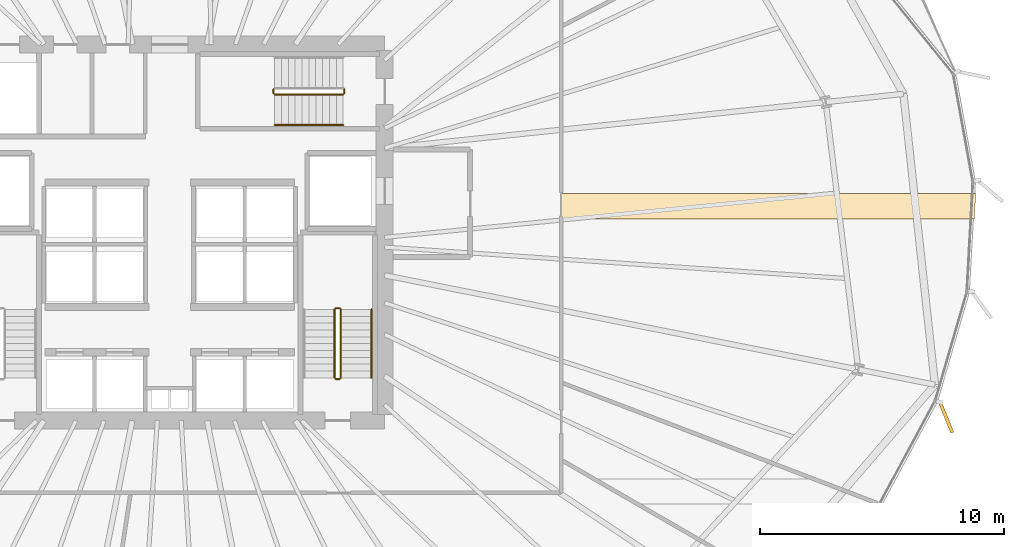
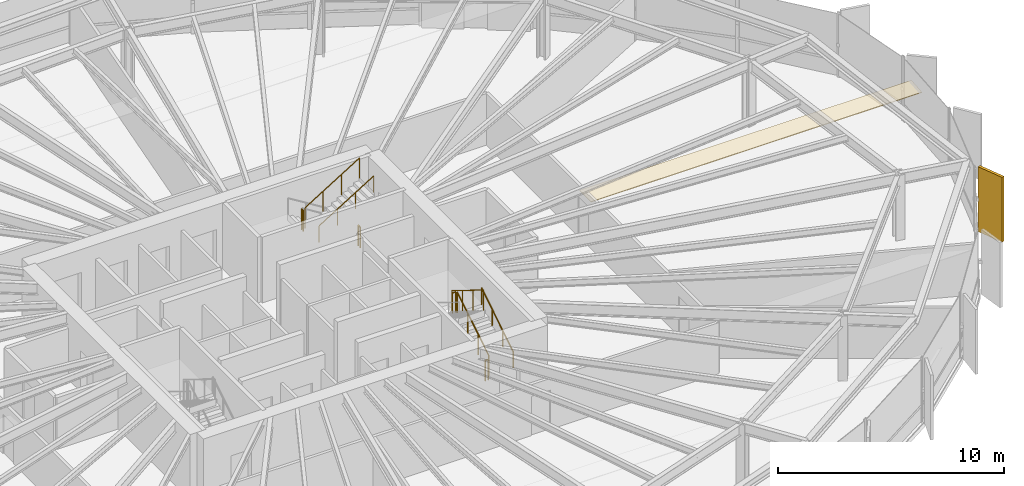
# One storey, part 38 of 39: 9 railings, 2 coverings.
"""IFC4 building model written with IfcOpenShell, lengths in metres."""

from ifc_helpers import new_model, si_unit, direction, frame, origin, origin_2d, place, context, subcontext, project, spatial, polyline, rectangle, circle, outline, extrude, source, transform, mapped, material, layer, layer_set, type_object, element, save


model = new_model("IFC4")

# Units and contexts
model_context = context("Model", 3, precision=1e-05, world=origin(), true_north=direction((0.0, 1.0)))
body_context = subcontext(model_context, "Body", "Model", "MODEL_VIEW")
ifc_project = project(units=[si_unit("LENGTHUNIT", "METRE"), si_unit("AREAUNIT", "SQUARE_METRE"), si_unit("VOLUMEUNIT", "CUBIC_METRE"), si_unit("PLANEANGLEUNIT", "RADIAN"), si_unit("MASSUNIT", "GRAM", prefix="KILO"), si_unit("THERMODYNAMICTEMPERATUREUNIT", "KELVIN")], contexts=[model_context])

# Site, building, storey
site_placement = place(None, origin())
site = spatial("IfcSite", under=ifc_project, at=site_placement, CompositionType="ELEMENT")
building_placement = place(site_placement, origin())
building = spatial("IfcBuilding", under=site, at=building_placement, Name="Kethvar Cultural Tower", CompositionType="ELEMENT")
storey_placement = place(building_placement, frame((0.0, 0.0, 44.800048828125)))
storey = spatial("IfcBuildingStorey", under=building, at=storey_placement, Name="L10", CompositionType="ELEMENT", Elevation=44.800048828125)

# Covering
ifc_material_1 = material(Name="Acoustic Mineral Fibre Ceiling")
ifc_layer_1 = layer(ifc_material_1, 0.0400390625, Name="Acoustic Mineral Fibre Ceiling")
ifc_layer_set_1 = layer_set([ifc_layer_1], Name="Acoustic Mineral Fibre Ceiling (40 mm)")
covering_type_1 = type_object("IfcCoveringType", Name="CV-ACOUSTIC-CEIL", PredefinedType="CEILING", material=ifc_layer_set_1)
covering_1_placement = place(storey_placement, frame((0.0, 0.0, 2.449951171875)))
element("IfcCovering", 1, at=covering_1_placement, inside=storey, type_object=covering_type_1, Name="L10 Room 04 Acoustic Ceiling Panel", PredefinedType="CEILING", context=body_context, shape_type="SweptSolid", body=[
    extrude(outline(polyline([(62.81005859375, 29.3916015625), (79.80126953125, 29.3916015625), (79.74462890625, 28.36181640625), (62.81005859375, 28.36181640625), (62.81005859375, 29.3916015625)])), origin(), (0.0, 0.0, 1.0), 0.0400390625),
])

# Railings
ifc_material_2 = material(Name="Steel S355J2", Category="steel")
railing_type_1 = type_object("IfcRailingType", Name="RL-STAIR-GUARD", PredefinedType="BALUSTRADE", material=ifc_material_2)
railing_1_placement = place(storey_placement, frame((53.81005859375, 21.85009765625, 0.172607421875)))
element("IfcRailing", 2, at=railing_1_placement, inside=storey, type_object=railing_type_1, Name="L10 ST-02 stair guard 1", PredefinedType="BALUSTRADE", context=body_context, shape_type="SweptSolid", body=[
    extrude(circle(Radius=0.02392578125, at=origin_2d()), frame((0.0, 0.0, 1.09619140625), z_axis=(0.0, 0.851069175582, 0.525053576669), x_axis=(-1.0, 0.0, 0.0)), (0.0, 0.0, 1.0), 3.289794921875),
    extrude(circle(Radius=0.02099609375, at=origin_2d()), origin(), (0.0, 0.0, 1.0), 1.072021484375),
    extrude(circle(Radius=0.02099609375, at=origin_2d()), frame((0.0, 0.933349609375, 0.57568359375)), (0.0, 0.0, 1.0), 1.072021484375),
    extrude(circle(Radius=0.02099609375, at=origin_2d()), frame((0.0, 1.866455078125, 1.151611328125)), (0.0, 0.0, 1.0), 1.072021484375),
    extrude(circle(Radius=0.02099609375, at=origin_2d()), frame((0.0, 2.7998046875, 1.727294921875)), (0.0, 0.0, 1.0), 1.072021484375),
])
railing_2_placement = place(storey_placement, frame((53.760009765625, 24.699951171875, 1.89990234375)))
element("IfcRailing", 3, at=railing_2_placement, inside=storey, type_object=railing_type_1, Name="L10 ST-02 stair guard 2", PredefinedType="BALUSTRADE", context=body_context, shape_type="SweptSolid", body=[
    extrude(circle(Radius=0.02392578125, at=origin_2d()), frame((0.0, 0.0, 1.09619140625), z_axis=(-1.0, 0.0, 0.0), x_axis=(0.0, -1.0, 0.0)), (0.0, 0.0, 1.0), 0.159912109375),
    extrude(circle(Radius=0.02099609375, at=origin_2d()), origin(), (0.0, 0.0, 1.0), 1.072021484375),
    extrude(circle(Radius=0.02099609375, at=origin_2d()), frame((-0.159912109375, 0.0, 0.0)), (0.0, 0.0, 1.0), 1.072021484375),
])
railing_3_placement = place(storey_placement, frame((53.550048828125, 24.64990234375, 2.07275390625)))
element("IfcRailing", 4, at=railing_3_placement, inside=storey, type_object=railing_type_1, Name="L10 ST-02 stair guard 3", PredefinedType="BALUSTRADE", context=body_context, shape_type="SweptSolid", body=[
    extrude(circle(Radius=0.02392578125, at=origin_2d()), frame((0.0, 0.0, 1.09619140625), z_axis=(0.0, -0.851069175582, 0.525053576669), x_axis=(1.0, 0.0, 0.0)), (0.0, 0.0, 1.0), 3.289794921875),
    extrude(circle(Radius=0.02099609375, at=origin_2d()), origin(), (0.0, 0.0, 1.0), 1.072021484375),
    extrude(circle(Radius=0.02099609375, at=origin_2d()), frame((0.0, -0.933349609375, 0.57568359375)), (0.0, 0.0, 1.0), 1.072021484375),
    extrude(circle(Radius=0.02099609375, at=origin_2d()), frame((0.0, -1.866455078125, 1.151611328125)), (0.0, 0.0, 1.0), 1.072021484375),
    extrude(circle(Radius=0.02099609375, at=origin_2d()), frame((0.0, -2.7998046875, 1.727294921875)), (0.0, 0.0, 1.0), 1.072021484375),
])
railing_4_placement = place(storey_placement, frame((53.760009765625, 21.800048828125, 0.0)))
element("IfcRailing", 5, at=railing_4_placement, inside=storey, type_object=railing_type_1, Name="L10 ST-02 stair guard 4", PredefinedType="BALUSTRADE", context=body_context, shape_type="SweptSolid", body=[
    extrude(circle(Radius=0.02392578125, at=origin_2d()), frame((0.0, 0.0, 1.09619140625), z_axis=(-1.0, 0.0, 0.0), x_axis=(0.0, -1.0, 0.0)), (0.0, 0.0, 1.0), 0.159912109375),
    extrude(circle(Radius=0.02099609375, at=origin_2d()), origin(), (0.0, 0.0, 1.0), 1.072021484375),
    extrude(circle(Radius=0.02099609375, at=origin_2d()), frame((-0.159912109375, 0.0, 0.0)), (0.0, 0.0, 1.0), 1.072021484375),
])
railing_5_placement = place(storey_placement, frame((51.050048828125, 33.659912109375, 1.89990234375)))
element("IfcRailing", 6, at=railing_5_placement, inside=storey, type_object=railing_type_1, Name="L10 ST-03 stair guard 2", PredefinedType="BALUSTRADE", context=body_context, shape_type="SweptSolid", body=[
    extrude(circle(Radius=0.02392578125, at=origin_2d()), frame((0.0, 0.0, 1.09619140625), z_axis=(0.0, -1.0, 0.0), x_axis=(1.0, 0.0, 0.0)), (0.0, 0.0, 1.0), 0.159912109375),
    extrude(circle(Radius=0.02099609375, at=origin_2d()), origin(), (0.0, 0.0, 1.0), 1.072021484375),
    extrude(circle(Radius=0.02099609375, at=origin_2d()), frame((0.0, -0.159912109375, 0.0)), (0.0, 0.0, 1.0), 1.072021484375),
])
railing_6_placement = place(storey_placement, frame((51.10009765625, 33.449951171875, 2.07275390625)))
element("IfcRailing", 7, at=railing_6_placement, inside=storey, type_object=railing_type_1, Name="L10 ST-03 stair guard 3", PredefinedType="BALUSTRADE", context=body_context, shape_type="SweptSolid", body=[
    extrude(circle(Radius=0.02392578125, at=origin_2d()), frame((0.0, 0.0, 1.09619140625), z_axis=(0.851069175582, 0.0, 0.525053576669), x_axis=(0.0, 1.0, 0.0)), (0.0, 0.0, 1.0), 3.289794921875),
    extrude(circle(Radius=0.02099609375, at=origin_2d()), origin(), (0.0, 0.0, 1.0), 1.072021484375),
    extrude(circle(Radius=0.02099609375, at=origin_2d()), frame((0.933349609375, 0.0, 0.57568359375)), (0.0, 0.0, 1.0), 1.072021484375),
    extrude(circle(Radius=0.02099609375, at=origin_2d()), frame((1.866455078125, 0.0, 1.151611328125)), (0.0, 0.0, 1.0), 1.072021484375),
    extrude(circle(Radius=0.02099609375, at=origin_2d()), frame((2.7998046875, 0.0, 1.727294921875)), (0.0, 0.0, 1.0), 1.072021484375),
])
railing_7_placement = place(storey_placement, frame((53.949951171875, 33.659912109375, 0.0)))
element("IfcRailing", 8, at=railing_7_placement, inside=storey, type_object=railing_type_1, Name="L10 ST-03 stair guard 4", PredefinedType="BALUSTRADE", context=body_context, shape_type="SweptSolid", body=[
    extrude(circle(Radius=0.02392578125, at=origin_2d()), frame((0.0, 0.0, 1.09619140625), z_axis=(0.0, -1.0, 0.0), x_axis=(1.0, 0.0, 0.0)), (0.0, 0.0, 1.0), 0.159912109375),
    extrude(circle(Radius=0.02099609375, at=origin_2d()), origin(), (0.0, 0.0, 1.0), 1.072021484375),
    extrude(circle(Radius=0.02099609375, at=origin_2d()), frame((0.0, -0.159912109375, 0.0)), (0.0, 0.0, 1.0), 1.072021484375),
])
railing_type_2 = type_object("IfcRailingType", Name="RL-STAIR-HANDRAIL", PredefinedType="HANDRAIL", material=ifc_material_2)
railing_8_placement = place(storey_placement, frame((55.06005859375, 21.85009765625, 0.172607421875)))
element("IfcRailing", 9, at=railing_8_placement, inside=storey, type_object=railing_type_2, Name="L10 ST-02 stair handrail 1", PredefinedType="HANDRAIL", context=body_context, shape_type="SweptSolid", body=[
    extrude(circle(Radius=0.02392578125, at=origin_2d()), frame((0.0, 0.0, 0.8759765625), z_axis=(0.0, 0.851069175582, 0.525053576669), x_axis=(-1.0, 0.0, 0.0)), (0.0, 0.0, 1.0), 3.289794921875),
    extrude(circle(Radius=0.02099609375, at=origin_2d()), origin(), (0.0, 0.0, 1.0), 0.851806640625),
    extrude(circle(Radius=0.02099609375, at=origin_2d()), frame((0.0, 0.933349609375, 0.57568359375)), (0.0, 0.0, 1.0), 0.851806640625),
    extrude(circle(Radius=0.02099609375, at=origin_2d()), frame((0.0, 1.866455078125, 1.151611328125)), (0.0, 0.0, 1.0), 0.851806640625),
    extrude(circle(Radius=0.02099609375, at=origin_2d()), frame((0.0, 2.7998046875, 1.727294921875)), (0.0, 0.0, 1.0), 0.851806640625),
])
railing_9_placement = place(storey_placement, frame((51.10009765625, 32.199951171875, 2.07275390625)))
element("IfcRailing", 10, at=railing_9_placement, inside=storey, type_object=railing_type_2, Name="L10 ST-03 stair handrail 2", PredefinedType="HANDRAIL", context=body_context, shape_type="SweptSolid", body=[
    extrude(circle(Radius=0.02392578125, at=origin_2d()), frame((0.0, 0.0, 0.8759765625), z_axis=(0.851069175582, 0.0, 0.525053576669), x_axis=(0.0, 1.0, 0.0)), (0.0, 0.0, 1.0), 3.289794921875),
    extrude(circle(Radius=0.02099609375, at=origin_2d()), origin(), (0.0, 0.0, 1.0), 0.851806640625),
    extrude(circle(Radius=0.02099609375, at=origin_2d()), frame((0.933349609375, 0.0, 0.57568359375)), (0.0, 0.0, 1.0), 0.851806640625),
    extrude(circle(Radius=0.02099609375, at=origin_2d()), frame((1.866455078125, 0.0, 1.151611328125)), (0.0, 0.0, 1.0), 0.851806640625),
    extrude(circle(Radius=0.02099609375, at=origin_2d()), frame((2.7998046875, 0.0, 1.727294921875)), (0.0, 0.0, 1.0), 0.851806640625),
])

# Covering
ifc_material_3 = material(Name="Extruded Architectural Terracotta", Category="masonry")
ifc_layer_2 = layer(ifc_material_3, 0.135009765625, Name="Extruded Architectural Terracotta", Category="masonry")
ifc_layer_set_2 = layer_set([ifc_layer_2], Name="Extruded Architectural Terracotta (135 mm)")
covering_type_2 = type_object("IfcCoveringType", Name="Terracotta Facade Fin FIN-01", PredefinedType="CLADDING", material=ifc_layer_set_2)
shared_shape = source(origin(), body_context, "Body", "SweptSolid", [
    extrude(rectangle(XDim=1.35009765625, YDim=0.135009765625, at=origin_2d()), origin(), (0.0, 0.0, 1.0), 3.510009765625),
])
covering_2_placement = place(storey_placement, frame((78.587890625, 20.23291015625, 0.02001953125), z_axis=(0.0, 0.0, 1.0), x_axis=(0.37476841182, -0.927118459261, 0.0)))
element("IfcCovering", 11, at=covering_2_placement, inside=storey, type_object=covering_type_2, Name="L10 Vertical Terracotta Fin 6.6", PredefinedType="CLADDING", context=body_context, shape_type="MappedRepresentation", body=[
    mapped(shared_shape, transform((0.0, 0.0, 0.0), scale=1.0)),
])

save(model, "model.ifc")
